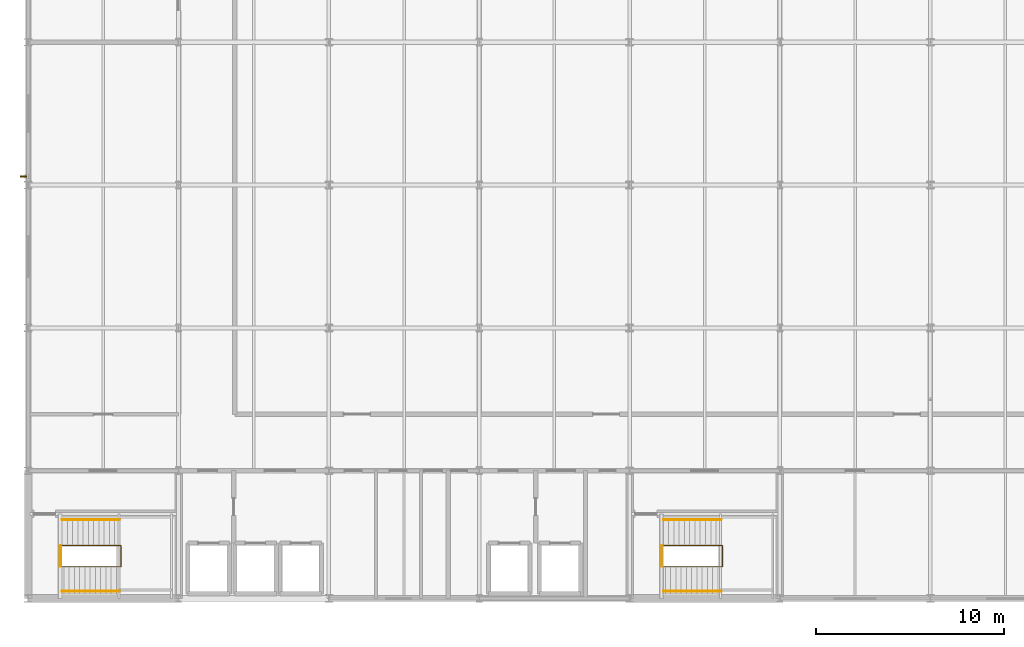
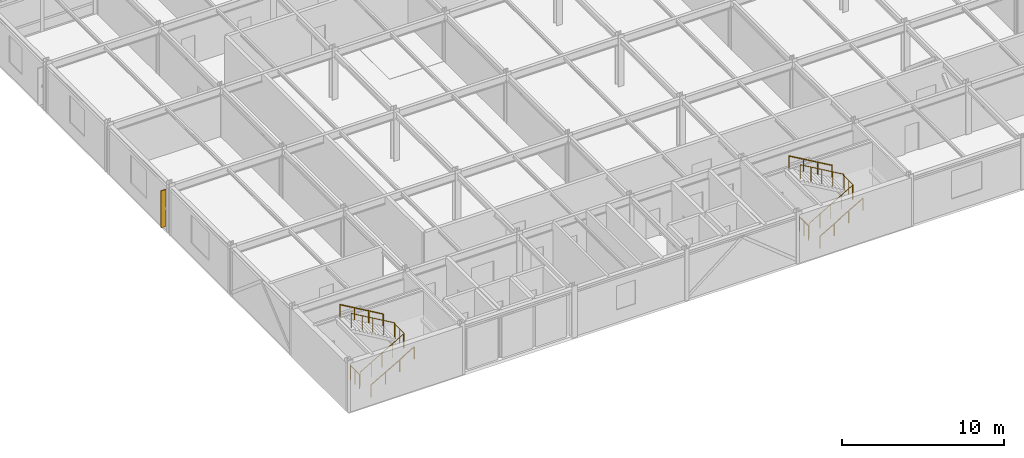
# One storey, part 15 of 18: 8 railings, 1 shading device.
"""IFC4 building model written with IfcOpenShell, lengths in metres."""

from ifc_helpers import new_model, si_unit, direction, frame, origin, origin_2d, place, context, subcontext, project, spatial, rectangle, circle, extrude, material, layer, layer_set, type_object, element, save


model = new_model("IFC4")

# Units and contexts
model_context = context("Model", 3, precision=1e-05, world=origin(), true_north=direction((0.0, 1.0)))
body_context = subcontext(model_context, "Body", "Model", "MODEL_VIEW")
ifc_project = project(units=[si_unit("LENGTHUNIT", "METRE"), si_unit("AREAUNIT", "SQUARE_METRE"), si_unit("VOLUMEUNIT", "CUBIC_METRE"), si_unit("PLANEANGLEUNIT", "RADIAN"), si_unit("MASSUNIT", "GRAM", prefix="KILO")], contexts=[model_context])

# Site, building, storey
site_placement = place(None, origin())
site = spatial("IfcSite", under=ifc_project, at=site_placement, CompositionType="ELEMENT")
building_placement = place(site_placement, origin())
building = spatial("IfcBuilding", under=site, at=building_placement, Name="Shalkamar Park Central Library", CompositionType="ELEMENT")
storey_placement = place(building_placement, frame((0.0, 0.0, 24.300048828125)))
storey = spatial("IfcBuildingStorey", under=building, at=storey_placement, Name="L06", CompositionType="ELEMENT", Elevation=24.300048828125)

# Shading device
ifc_material_1 = material(Name="Anodized bronze aluminium solar fin", Category="aluminium")
ifc_layer = layer(ifc_material_1, 0.06005859375)
ifc_layer_set = layer_set([ifc_layer], Name="BronzeSolarLouvreBlade")
shading_device_type = type_object("IfcShadingDeviceType", Name="Bronze Solar Louvre Blade", PredefinedType="SHUTTER", material=ifc_layer_set)
shading_device_placement = place(storey_placement, frame((164.739990234375, 270.85595703125, 0.2998046875), z_axis=(0.0, 0.0, 1.0), x_axis=(1.0, 0.0, 0.0)))
element("IfcShadingDevice", 1, at=shading_device_placement, inside=storey, type_object=shading_device_type, Name="Vertical Solar Fin L06-008", PredefinedType="SHUTTER", context=body_context, shape_type="SweptSolid", body=[
    extrude(rectangle(XDim=0.35009765625, YDim=0.06005859375, at=origin_2d()), origin(), (0.0, 0.0, 1.0), 2.7880859375),
])

# Railings
ifc_material_2 = material(Name="Steel S355", Category="steel")
railing_type_1 = type_object("IfcRailingType", Name="Stair Guardrail 1100", PredefinedType="GUARDRAIL", material=ifc_material_2)
railing_1_placement = place(storey_placement, frame((166.800048828125, 250.090087890625, 0.162353515625)))
element("IfcRailing", 2, at=railing_1_placement, inside=storey, type_object=railing_type_1, Name="Stair Inner Well Guardrail ST-T1-L06", PredefinedType="GUARDRAIL", context=body_context, shape_type="SweptSolid", body=[
    extrude(circle(Radius=0.02392578125, at=origin_2d()), frame((0.0, 0.0, 1.076171875), z_axis=(0.864873446163, 0.0, 0.501989962173), x_axis=(0.0, 1.0, 0.0)), (0.0, 0.0, 1.0), 3.56103515625),
    extrude(circle(Radius=0.02392578125, at=origin_2d()), frame((3.079833984375, 0.0, 2.86376953125), z_axis=(1.0, 0.0, 0.0), x_axis=(0.0, 1.0, 0.0)), (0.0, 0.0, 1.0), 0.06005859375),
    extrude(circle(Radius=0.02392578125, at=origin_2d()), frame((3.139892578125, 0.0, 2.86376953125), z_axis=(0.0, 1.0, 0.0), x_axis=(-1.0, 0.0, 0.0)), (0.0, 0.0, 1.0), 1.119873046875),
    extrude(circle(Radius=0.02392578125, at=origin_2d()), frame((3.139892578125, 1.119873046875, 2.86376953125), z_axis=(-0.346488496144, 0.0, 0.938054221269), x_axis=(0.0, -1.0, 0.0)), (0.0, 0.0, 1.0), 0.17333984375),
    extrude(circle(Radius=0.02392578125, at=origin_2d()), frame((3.079833984375, 1.119873046875, 3.0263671875), z_axis=(-0.864903211148, 0.0, 0.501938676878), x_axis=(0.0, -1.0, 0.0)), (0.0, 0.0, 1.0), 3.560791015625),
    extrude(circle(Radius=0.02099609375, at=origin_2d()), origin(), (0.0, 0.0, 1.0), 1.052001953125),
    extrude(circle(Radius=0.02099609375, at=origin_2d()), frame((0.77001953125, 0.0, 0.44677734375)), (0.0, 0.0, 1.0), 1.052001953125),
    extrude(circle(Radius=0.02099609375, at=origin_2d()), frame((1.5400390625, 0.0, 0.893798828125)), (0.0, 0.0, 1.0), 1.052001953125),
    extrude(circle(Radius=0.02099609375, at=origin_2d()), frame((2.309814453125, 0.0, 1.3408203125)), (0.0, 0.0, 1.0), 1.052001953125),
    extrude(circle(Radius=0.02099609375, at=origin_2d()), frame((3.079833984375, 0.0, 1.78759765625)), (0.0, 0.0, 1.0), 1.052001953125),
    extrude(circle(Radius=0.02099609375, at=origin_2d()), frame((3.139892578125, 0.0, 1.78759765625)), (0.0, 0.0, 1.0), 1.052001953125),
    extrude(circle(Radius=0.02099609375, at=origin_2d()), frame((3.139892578125, 0.56005859375, 1.78759765625)), (0.0, 0.0, 1.0), 1.052001953125),
    extrude(circle(Radius=0.02099609375, at=origin_2d()), frame((3.139892578125, 1.119873046875, 1.78759765625)), (0.0, 0.0, 1.0), 1.052001953125),
    extrude(circle(Radius=0.02099609375, at=origin_2d()), frame((3.079833984375, 1.119873046875, 1.9501953125)), (0.0, 0.0, 1.0), 1.052001953125),
    extrude(circle(Radius=0.02099609375, at=origin_2d()), frame((2.309814453125, 1.119873046875, 2.39697265625)), (0.0, 0.0, 1.0), 1.052001953125),
    extrude(circle(Radius=0.02099609375, at=origin_2d()), frame((1.5400390625, 1.119873046875, 2.84375)), (0.0, 0.0, 1.0), 1.052001953125),
    extrude(circle(Radius=0.02099609375, at=origin_2d()), frame((0.77001953125, 1.119873046875, 3.290771484375)), (0.0, 0.0, 1.0), 1.052001953125),
    extrude(circle(Radius=0.02099609375, at=origin_2d()), frame((0.0, 1.119873046875, 3.737548828125)), (0.0, 0.0, 1.0), 1.052001953125),
])
railing_2_placement = place(storey_placement, frame((166.739990234375, 250.10009765625, 0.0)))
element("IfcRailing", 3, at=railing_2_placement, inside=storey, type_object=railing_type_1, Name="Stair Arrival Well Guardrail ST-T1 (L06)", PredefinedType="GUARDRAIL", context=body_context, shape_type="SweptSolid", body=[
    extrude(circle(Radius=0.02392578125, at=origin_2d()), frame((0.0, 0.0, 1.076171875), z_axis=(0.0, 1.0, 0.0), x_axis=(-1.0, 0.0, 0.0)), (0.0, 0.0, 1.0), 1.099853515625),
    extrude(circle(Radius=0.02099609375, at=origin_2d()), origin(), (0.0, 0.0, 1.0), 1.052001953125),
    extrude(circle(Radius=0.02099609375, at=origin_2d()), frame((0.0, 0.5498046875, 0.0)), (0.0, 0.0, 1.0), 1.052001953125),
    extrude(circle(Radius=0.02099609375, at=origin_2d()), frame((0.0, 1.099853515625, 0.0)), (0.0, 0.0, 1.0), 1.052001953125),
])
railing_3_placement = place(storey_placement, frame((198.800048828125, 250.090087890625, 0.162353515625)))
element("IfcRailing", 4, at=railing_3_placement, inside=storey, type_object=railing_type_1, Name="Stair Inner Well Guardrail ST-T2-L06", PredefinedType="GUARDRAIL", context=body_context, shape_type="SweptSolid", body=[
    extrude(circle(Radius=0.02392578125, at=origin_2d()), frame((0.0, 0.0, 1.076171875), z_axis=(0.864873446163, 0.0, 0.501989962173), x_axis=(0.0, 1.0, 0.0)), (0.0, 0.0, 1.0), 3.56103515625),
    extrude(circle(Radius=0.02392578125, at=origin_2d()), frame((3.079833984375, 0.0, 2.86376953125), z_axis=(1.0, 0.0, 0.0), x_axis=(0.0, 1.0, 0.0)), (0.0, 0.0, 1.0), 0.06005859375),
    extrude(circle(Radius=0.02392578125, at=origin_2d()), frame((3.139892578125, 0.0, 2.86376953125), z_axis=(0.0, 1.0, 0.0), x_axis=(-1.0, 0.0, 0.0)), (0.0, 0.0, 1.0), 1.119873046875),
    extrude(circle(Radius=0.02392578125, at=origin_2d()), frame((3.139892578125, 1.119873046875, 2.86376953125), z_axis=(-0.346488496144, 0.0, 0.938054221269), x_axis=(0.0, -1.0, 0.0)), (0.0, 0.0, 1.0), 0.17333984375),
    extrude(circle(Radius=0.02392578125, at=origin_2d()), frame((3.079833984375, 1.119873046875, 3.0263671875), z_axis=(-0.864903211148, 0.0, 0.501938676878), x_axis=(0.0, -1.0, 0.0)), (0.0, 0.0, 1.0), 3.560791015625),
    extrude(circle(Radius=0.02099609375, at=origin_2d()), origin(), (0.0, 0.0, 1.0), 1.052001953125),
    extrude(circle(Radius=0.02099609375, at=origin_2d()), frame((0.77001953125, 0.0, 0.44677734375)), (0.0, 0.0, 1.0), 1.052001953125),
    extrude(circle(Radius=0.02099609375, at=origin_2d()), frame((1.5400390625, 0.0, 0.893798828125)), (0.0, 0.0, 1.0), 1.052001953125),
    extrude(circle(Radius=0.02099609375, at=origin_2d()), frame((2.309814453125, 0.0, 1.3408203125)), (0.0, 0.0, 1.0), 1.052001953125),
    extrude(circle(Radius=0.02099609375, at=origin_2d()), frame((3.079833984375, 0.0, 1.78759765625)), (0.0, 0.0, 1.0), 1.052001953125),
    extrude(circle(Radius=0.02099609375, at=origin_2d()), frame((3.139892578125, 0.0, 1.78759765625)), (0.0, 0.0, 1.0), 1.052001953125),
    extrude(circle(Radius=0.02099609375, at=origin_2d()), frame((3.139892578125, 0.56005859375, 1.78759765625)), (0.0, 0.0, 1.0), 1.052001953125),
    extrude(circle(Radius=0.02099609375, at=origin_2d()), frame((3.139892578125, 1.119873046875, 1.78759765625)), (0.0, 0.0, 1.0), 1.052001953125),
    extrude(circle(Radius=0.02099609375, at=origin_2d()), frame((3.079833984375, 1.119873046875, 1.9501953125)), (0.0, 0.0, 1.0), 1.052001953125),
    extrude(circle(Radius=0.02099609375, at=origin_2d()), frame((2.309814453125, 1.119873046875, 2.39697265625)), (0.0, 0.0, 1.0), 1.052001953125),
    extrude(circle(Radius=0.02099609375, at=origin_2d()), frame((1.5400390625, 1.119873046875, 2.84375)), (0.0, 0.0, 1.0), 1.052001953125),
    extrude(circle(Radius=0.02099609375, at=origin_2d()), frame((0.77001953125, 1.119873046875, 3.290771484375)), (0.0, 0.0, 1.0), 1.052001953125),
    extrude(circle(Radius=0.02099609375, at=origin_2d()), frame((0.0, 1.119873046875, 3.737548828125)), (0.0, 0.0, 1.0), 1.052001953125),
])
railing_4_placement = place(storey_placement, frame((198.739990234375, 250.10009765625, 0.0)))
element("IfcRailing", 5, at=railing_4_placement, inside=storey, type_object=railing_type_1, Name="Stair Arrival Well Guardrail ST-T2 (L06)", PredefinedType="GUARDRAIL", context=body_context, shape_type="SweptSolid", body=[
    extrude(circle(Radius=0.02392578125, at=origin_2d()), frame((0.0, 0.0, 1.076171875), z_axis=(0.0, 1.0, 0.0), x_axis=(-1.0, 0.0, 0.0)), (0.0, 0.0, 1.0), 1.099853515625),
    extrude(circle(Radius=0.02099609375, at=origin_2d()), origin(), (0.0, 0.0, 1.0), 1.052001953125),
    extrude(circle(Radius=0.02099609375, at=origin_2d()), frame((0.0, 0.5498046875, 0.0)), (0.0, 0.0, 1.0), 1.052001953125),
    extrude(circle(Radius=0.02099609375, at=origin_2d()), frame((0.0, 1.099853515625, 0.0)), (0.0, 0.0, 1.0), 1.052001953125),
])
railing_type_2 = type_object("IfcRailingType", Name="Stair Pitched Handrail 920", PredefinedType="HANDRAIL", material=ifc_material_2)
railing_5_placement = place(storey_placement, frame((166.800048828125, 248.780029296875, 0.162353515625)))
element("IfcRailing", 6, at=railing_5_placement, inside=storey, type_object=railing_type_2, Name="Stair Wall Handrail ST-T1-L06 Flight 1", PredefinedType="HANDRAIL", context=body_context, shape_type="SweptSolid", body=[
    extrude(circle(Radius=0.02392578125, at=origin_2d()), frame((0.0, 0.0, 0.89599609375), z_axis=(0.864873446163, 0.0, 0.501989962173), x_axis=(0.0, 1.0, 0.0)), (0.0, 0.0, 1.0), 3.56103515625),
    extrude(circle(Radius=0.02099609375, at=origin_2d()), origin(), (0.0, 0.0, 1.0), 0.871826171875),
    extrude(circle(Radius=0.02099609375, at=origin_2d()), frame((1.026611328125, 0.0, 0.595947265625)), (0.0, 0.0, 1.0), 0.871826171875),
    extrude(circle(Radius=0.02099609375, at=origin_2d()), frame((2.05322265625, 0.0, 1.191650390625)), (0.0, 0.0, 1.0), 0.871826171875),
    extrude(circle(Radius=0.02099609375, at=origin_2d()), frame((3.079833984375, 0.0, 1.78759765625)), (0.0, 0.0, 1.0), 0.871826171875),
])
railing_6_placement = place(storey_placement, frame((169.8798828125, 252.60009765625, 2.112548828125)))
element("IfcRailing", 7, at=railing_6_placement, inside=storey, type_object=railing_type_2, Name="Stair Wall Handrail ST-T1-L06 Flight 2", PredefinedType="HANDRAIL", context=body_context, shape_type="SweptSolid", body=[
    extrude(circle(Radius=0.02392578125, at=origin_2d()), frame((0.0, 0.0, 0.89599609375), z_axis=(-0.864903211148, 0.0, 0.501938676878), x_axis=(0.0, -1.0, 0.0)), (0.0, 0.0, 1.0), 3.560791015625),
    extrude(circle(Radius=0.02099609375, at=origin_2d()), origin(), (0.0, 0.0, 1.0), 0.871826171875),
    extrude(circle(Radius=0.02099609375, at=origin_2d()), frame((-1.026611328125, 0.0, 0.595703125)), (0.0, 0.0, 1.0), 0.871826171875),
    extrude(circle(Radius=0.02099609375, at=origin_2d()), frame((-2.05322265625, 0.0, 1.191650390625)), (0.0, 0.0, 1.0), 0.871826171875),
    extrude(circle(Radius=0.02099609375, at=origin_2d()), frame((-3.079833984375, 0.0, 1.787353515625)), (0.0, 0.0, 1.0), 0.871826171875),
])
railing_7_placement = place(storey_placement, frame((198.800048828125, 248.780029296875, 0.162353515625)))
element("IfcRailing", 8, at=railing_7_placement, inside=storey, type_object=railing_type_2, Name="Stair Wall Handrail ST-T2-L06 Flight 1", PredefinedType="HANDRAIL", context=body_context, shape_type="SweptSolid", body=[
    extrude(circle(Radius=0.02392578125, at=origin_2d()), frame((0.0, 0.0, 0.89599609375), z_axis=(0.864873446163, 0.0, 0.501989962173), x_axis=(0.0, 1.0, 0.0)), (0.0, 0.0, 1.0), 3.56103515625),
    extrude(circle(Radius=0.02099609375, at=origin_2d()), origin(), (0.0, 0.0, 1.0), 0.871826171875),
    extrude(circle(Radius=0.02099609375, at=origin_2d()), frame((1.026611328125, 0.0, 0.595947265625)), (0.0, 0.0, 1.0), 0.871826171875),
    extrude(circle(Radius=0.02099609375, at=origin_2d()), frame((2.05322265625, 0.0, 1.191650390625)), (0.0, 0.0, 1.0), 0.871826171875),
    extrude(circle(Radius=0.02099609375, at=origin_2d()), frame((3.079833984375, 0.0, 1.78759765625)), (0.0, 0.0, 1.0), 0.871826171875),
])
railing_8_placement = place(storey_placement, frame((201.8798828125, 252.60009765625, 2.112548828125)))
element("IfcRailing", 9, at=railing_8_placement, inside=storey, type_object=railing_type_2, Name="Stair Wall Handrail ST-T2-L06 Flight 2", PredefinedType="HANDRAIL", context=body_context, shape_type="SweptSolid", body=[
    extrude(circle(Radius=0.02392578125, at=origin_2d()), frame((0.0, 0.0, 0.89599609375), z_axis=(-0.864903211148, 0.0, 0.501938676878), x_axis=(0.0, -1.0, 0.0)), (0.0, 0.0, 1.0), 3.560791015625),
    extrude(circle(Radius=0.02099609375, at=origin_2d()), origin(), (0.0, 0.0, 1.0), 0.871826171875),
    extrude(circle(Radius=0.02099609375, at=origin_2d()), frame((-1.026611328125, 0.0, 0.595703125)), (0.0, 0.0, 1.0), 0.871826171875),
    extrude(circle(Radius=0.02099609375, at=origin_2d()), frame((-2.05322265625, 0.0, 1.191650390625)), (0.0, 0.0, 1.0), 0.871826171875),
    extrude(circle(Radius=0.02099609375, at=origin_2d()), frame((-3.079833984375, 0.0, 1.787353515625)), (0.0, 0.0, 1.0), 0.871826171875),
])

save(model, "model.ifc")
